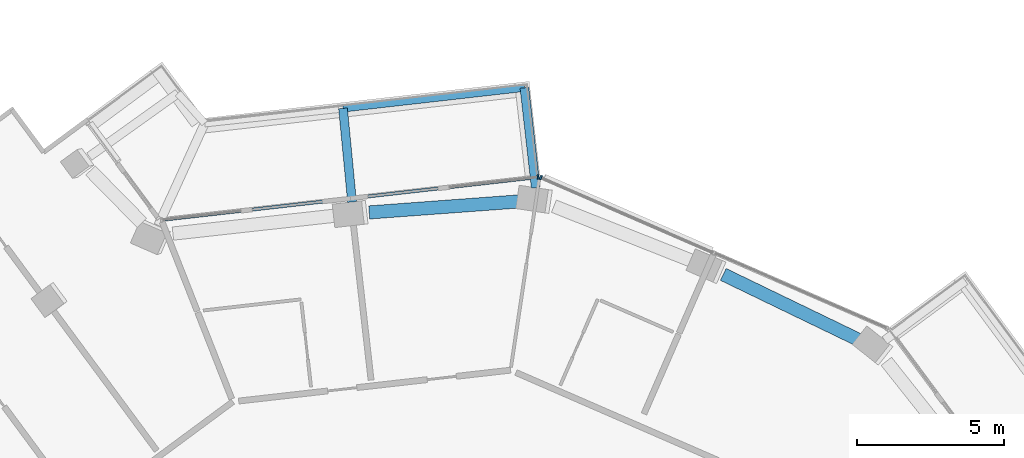
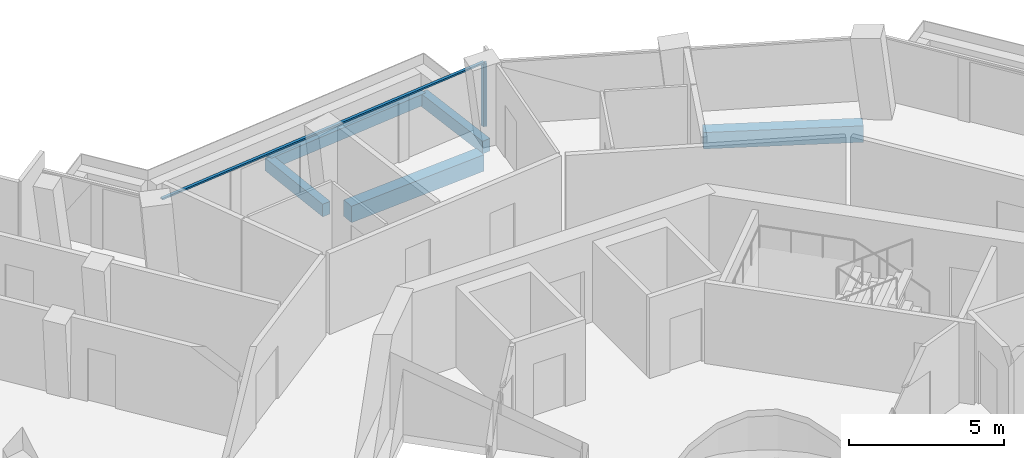
# One storey, part 8 of 23: 5 beams, 3 members, 2 elements without a shape of their own.
"""IFC4 building model written with IfcOpenShell, lengths in metres."""

from ifc_helpers import new_model, si_unit, direction, frame, origin, origin_2d, place, context, subcontext, project, spatial, rectangle, extrude, material, layer, layer_set, material_profile, profile_set, type_object, element, aggregate, save


model = new_model("IFC4")

# Units and contexts
model_context = context("Model", 3, precision=1e-05, world=origin(), true_north=direction((0.0, 1.0)))
body_context = subcontext(model_context, "Body", "Model", "MODEL_VIEW")
ifc_project = project(units=[si_unit("LENGTHUNIT", "METRE"), si_unit("AREAUNIT", "SQUARE_METRE"), si_unit("VOLUMEUNIT", "CUBIC_METRE"), si_unit("PLANEANGLEUNIT", "RADIAN"), si_unit("MASSUNIT", "GRAM", prefix="KILO")], contexts=[model_context])

# Site, building, storey
site_placement = place(None, origin())
site = spatial("IfcSite", under=ifc_project, at=site_placement, CompositionType="ELEMENT")
building_placement = place(site_placement, origin())
building = spatial("IfcBuilding", under=site, at=building_placement, Name="Verdalira Terraces Hotel", CompositionType="ELEMENT")
storey_placement = place(building_placement, frame((0.0, 0.0, 183.5)))
storey = spatial("IfcBuildingStorey", under=building, at=storey_placement, Name="L44", CompositionType="ELEMENT", Elevation=183.5)

# Beams
ifc_material_1 = material(Name="Concrete C40", Category="concrete")
ifc_material_profile_1 = material_profile(ifc_material_1, rectangle(XDim=0.300049, YDim=0.5, at=origin_2d()), Name="RC 300X500")
ifc_profile_set_1 = profile_set([ifc_material_profile_1], Name="Concrete C40")
beam_type_1 = type_object("IfcBeamType", Name="Balcony cantilever beam RC 300X500 C40", PredefinedType="BEAM", material=ifc_profile_set_1)
beam_1_placement = place(storey_placement, frame((3.582031, 24.39502, -0.560059), z_axis=(-0.112818482, 0.993615615, 0.0), x_axis=(-0.993615615, -0.112818482, 0.0)))
element("IfcBeam", 1, at=beam_1_placement, inside=storey, type_object=beam_type_1, Name="Balcony cantilever beam R41-1", PredefinedType="BEAM", context=body_context, shape_type="SweptSolid", body=[
    extrude(rectangle(XDim=0.300049, YDim=0.5, at=origin_2d()), origin(), (0.0, 0.0, 1.0), 3.423584),
])
beam_2_placement = place(storey_placement, frame((-2.673584, 23.908936, -0.560059), z_axis=(-0.096180376, 0.995363921, 0.0), x_axis=(-0.995363921, -0.096180376, 0.0)))
element("IfcBeam", 2, at=beam_2_placement, inside=storey, type_object=beam_type_1, Name="Balcony cantilever beam R41-2", PredefinedType="BEAM", context=body_context, shape_type="SweptSolid", body=[
    extrude(rectangle(XDim=0.300049, YDim=0.5, at=origin_2d()), origin(), (0.0, 0.0, 1.0), 3.200928),
])
ifc_material_2 = material(Name="Concrete C40", Category="concrete")
ifc_material_profile_2 = material_profile(ifc_material_2, rectangle(XDim=0.25, YDim=0.449951, at=origin_2d()), Name="RC 250X450")
ifc_profile_set_2 = profile_set([ifc_material_profile_2], Name="Concrete C40")
beam_type_2 = type_object("IfcBeamType", Name="Balcony edge beam RC 250X450 C40", PredefinedType="BEAM", material=ifc_profile_set_2)
beam_3_placement = place(storey_placement, frame((3.195801, 27.796631, -0.534912), z_axis=(-0.993610661, -0.112862107, 0.0), x_axis=(0.112862107, -0.993610661, 0.0)))
element("IfcBeam", 3, at=beam_3_placement, inside=storey, type_object=beam_type_2, Name="Balcony edge beam R41-1", PredefinedType="BEAM", context=body_context, shape_type="SweptSolid", body=[
    extrude(rectangle(XDim=0.25, YDim=0.449951, at=origin_2d()), origin(), (0.0, 0.0, 1.0), 6.217041),
])

# Curtain wall, member
ifc_material_3 = material(Name="Clear glass", Category="glass")
ifc_layer = layer(ifc_material_3, 0.14990234375)
ifc_layer_set = layer_set([ifc_layer], Name="CW1 curtain wall")
curtain_wall_type = type_object("IfcCurtainWallType", Name="CW1 curtain wall", PredefinedType="NOTDEFINED", material=ifc_layer_set)
curtain_wall_1_placement = place(storey_placement, origin())
curtain_wall_1 = element("IfcCurtainWall", 4, at=curtain_wall_1_placement, inside=storey, type_object=curtain_wall_type, Name="CW1 curtain wall L44 edge 40", PredefinedType="NOTDEFINED")
ifc_material_4 = material(Name="Terracotta frame", Category="masonry")
ifc_material_profile_3 = material_profile(ifc_material_4, rectangle(XDim=0.060059, YDim=0.149902, at=origin_2d()), Name="MU 60x150")
ifc_profile_set_3 = profile_set([ifc_material_profile_3], Name="Terracotta frame")
member_type_1 = type_object("IfcMemberType", Name="CW1 mullion 60x150", PredefinedType="MULLION", material=ifc_profile_set_3)
member_1_placement = place(storey_placement, frame((3.755127, 24.740234, 0.0), z_axis=(0.0, 0.0, 1.0), x_axis=(-0.916920829, 0.399069159, 0.0)))
member_1 = element("IfcMember", 5, at=member_1_placement, type_object=member_type_1, Name="CW1 mullion", PredefinedType="MULLION", context=body_context, shape_type="SweptSolid", body=[
    extrude(rectangle(XDim=0.060059, YDim=0.149902, at=origin_2d()), origin(), (0.0, 0.0, 1.0), 2.475098),
])
aggregate(curtain_wall_1, [member_1])

# Curtain wall, members
curtain_wall_2_placement = place(storey_placement, origin())
curtain_wall_2 = element("IfcCurtainWall", 6, at=curtain_wall_2_placement, inside=storey, type_object=curtain_wall_type, Name="CW1 curtain wall L44 edge 41", PredefinedType="NOTDEFINED")
member_2_placement = place(storey_placement, frame((3.659424, 24.754395, 0.0), z_axis=(0.0, 0.0, 1.0), x_axis=(-0.993611311, -0.112856385, 0.0)))
member_2 = element("IfcMember", 7, at=member_2_placement, type_object=member_type_1, Name="CW1 mullion", PredefinedType="MULLION", context=body_context, shape_type="SweptSolid", body=[
    extrude(rectangle(XDim=0.060059, YDim=0.149902, at=origin_2d()), origin(), (0.0, 0.0, 1.0), 2.475098),
])
ifc_material_5 = material(Name="Terracotta frame", Category="masonry")
ifc_material_profile_4 = material_profile(ifc_material_5, rectangle(XDim=0.110107, YDim=0.064941, at=origin_2d()), Name="TR 65x110")
ifc_profile_set_4 = profile_set([ifc_material_profile_4], Name="Terracotta frame")
member_type_2 = type_object("IfcMemberType", Name="CW1 transom 65x110", PredefinedType="USERDEFINED", material=ifc_profile_set_4)
member_3_placement = place(storey_placement, frame((3.689209, 24.757812, 2.507568), z_axis=(-0.993610825, -0.112860656, 0.0), x_axis=(0.112860656, -0.993610825, 0.0)))
member_3 = element("IfcMember", 8, at=member_3_placement, type_object=member_type_2, Name="CW1 transom", ObjectType="TRANSOM", PredefinedType="USERDEFINED", context=body_context, shape_type="SweptSolid", body=[
    extrude(rectangle(XDim=0.110107, YDim=0.064941, at=origin_2d()), origin(), (0.0, 0.0, 1.0), 12.959717),
])
aggregate(curtain_wall_2, [member_2, member_3])

# Beams
ifc_material_6 = material(Name="Concrete C50", Category="concrete")
ifc_material_profile_5 = material_profile(ifc_material_6, rectangle(XDim=0.449951, YDim=0.649902, at=origin_2d()), Name="RC 450X650")
ifc_profile_set_5 = profile_set([ifc_material_profile_5], Name="Concrete C50")
beam_type_3 = type_object("IfcBeamType", Name="Spandrel beam RC 450X650 C50", PredefinedType="SPANDREL", material=ifc_profile_set_5)
beam_4_placement = place(storey_placement, frame((14.640381, 19.182861, -0.63501), z_axis=(-0.900373822, 0.435117204, 0.0), x_axis=(-0.435117204, -0.900373822, 0.0)))
element("IfcBeam", 9, at=beam_4_placement, inside=storey, type_object=beam_type_3, Name="Spandrel beam B20", PredefinedType="SPANDREL", context=body_context, shape_type="SweptSolid", body=[
    extrude(rectangle(XDim=0.449951, YDim=0.649902, at=origin_2d()), origin(), (0.0, 0.0, 1.0), 5.192383),
])
beam_5_placement = place(storey_placement, frame((3.087402, 23.933105, -0.63501), z_axis=(-0.997302667, -0.073398843, 0.0), x_axis=(0.073398843, -0.997302667, 0.0)))
element("IfcBeam", 10, at=beam_5_placement, inside=storey, type_object=beam_type_3, Name="Spandrel beam B22", PredefinedType="SPANDREL", context=body_context, shape_type="SweptSolid", body=[
    extrude(rectangle(XDim=0.449951, YDim=0.649902, at=origin_2d()), origin(), (0.0, 0.0, 1.0), 5.192139),
])

save(model, "model.ifc")
